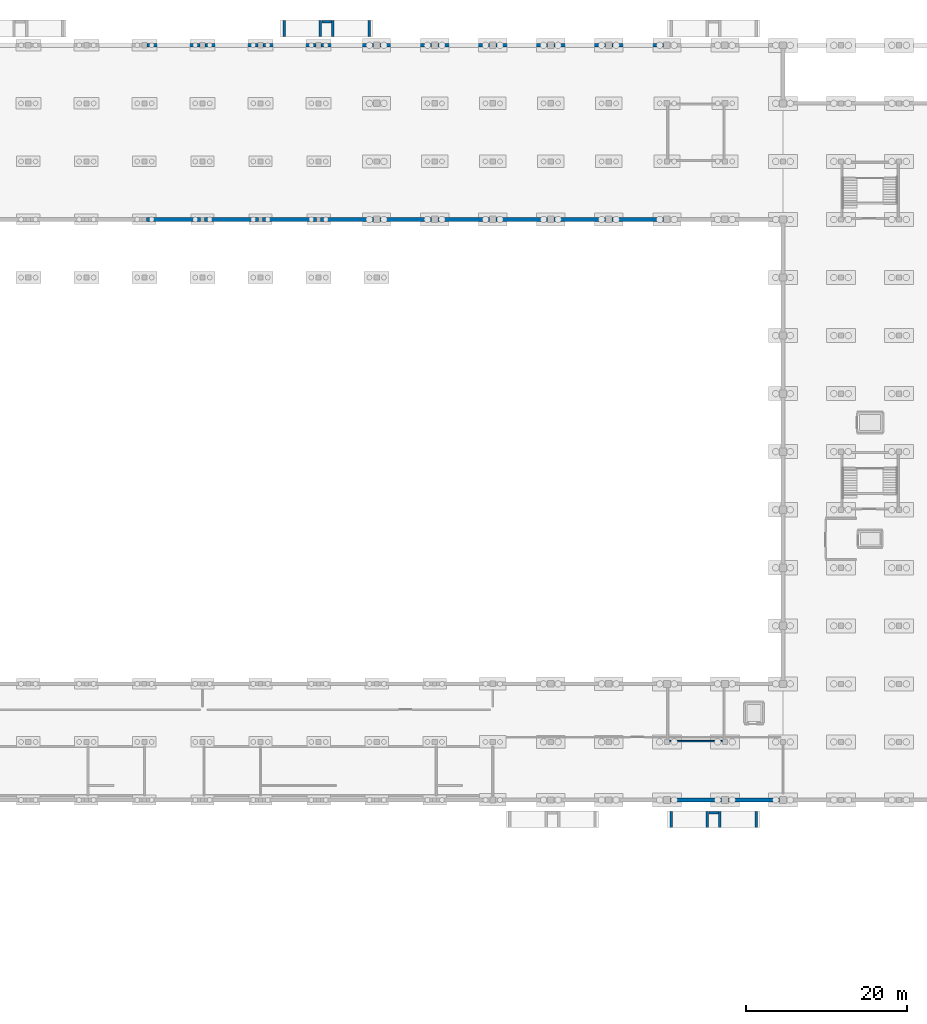
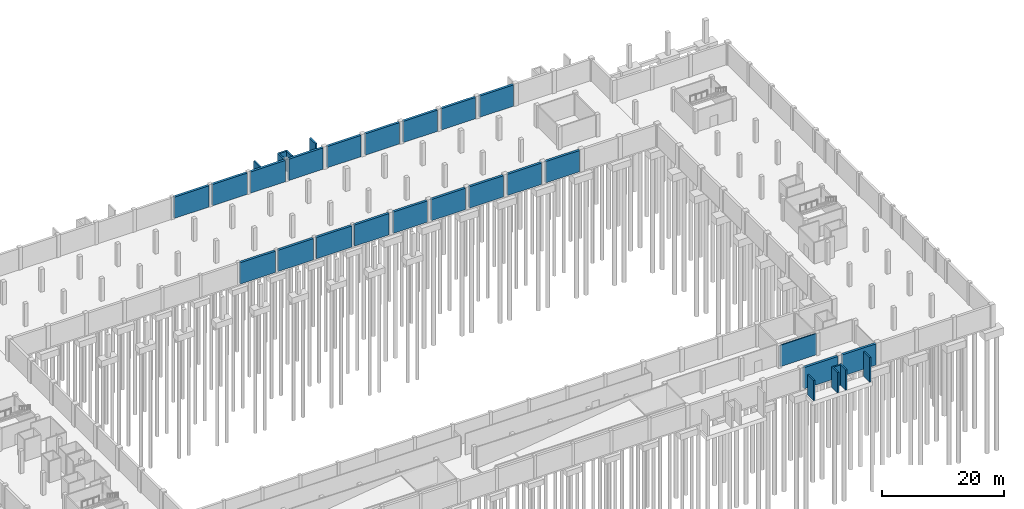
# One storey, part 13 of 18: 31 walls.
"""IFC4 building model written with IfcOpenShell, lengths in metres."""

import ifcopenshell
import ifcopenshell.guid

model = None  # the IFC model being written
_history = None  # IfcOwnerHistory: only IFC2X3 demands one
_inside = {}  # id of a spatial element -> (the spatial element, [elements in it])
_under = {}  # id of a project, library or spatial element -> (it, [spatial elements below it])
_declared = {}  # id of a project -> (the project, [libraries it declares])
_typed = {}  # id of a type object -> (the type object, [elements of that type])
_made_of = {}  # id of a material, layer set ... -> (it, [elements and type objects made of it])


def new_model(schema):
    """Start an empty IFC model of exactly this schema.

    Asked for "IFC4X3", IfcOpenShell would pick the latest addendum, in which some entities
    have other attributes; the version numbers below select the first issue.
    IFC2X3 requires an IfcOwnerHistory on every rooted entity: one is made here for all.
    """
    global model, _history
    if schema == "IFC4X3":
        model = ifcopenshell.file(schema_version=(4, 3, 0, 0))
    else:
        model = ifcopenshell.file(schema=schema)
    _inside.clear()
    _under.clear()
    _declared.clear()
    _typed.clear()
    _made_of.clear()
    _history = None
    if model.schema == "IFC2X3":
        org = make("IfcOrganization", Name="unknown")
        user = make(
            "IfcPersonAndOrganization",
            ThePerson=make("IfcPerson", FamilyName="unknown"),
            TheOrganization=org,
        )
        app = make(
            "IfcApplication",
            ApplicationDeveloper=org,
            Version="unknown",
            ApplicationFullName="unknown",
            ApplicationIdentifier="unknown",
        )
        _history = make(
            "IfcOwnerHistory",
            OwningUser=user,
            OwningApplication=app,
            ChangeAction="ADDED",
            CreationDate=0,
        )
    return model


def make(cls, **values):
    """One entity of the class cls with the attributes given. An attribute that is None is left unset."""
    return model.create_entity(
        cls, **{name: value for name, value in values.items() if value is not None}
    )


def rooted(cls, **values):
    """An entity with a GlobalId (a new one), such as an element, a storey or a relation."""
    return make(cls, GlobalId=ifcopenshell.guid.new(), OwnerHistory=_history, **values)


def si_unit(unit_type, name, prefix=None):
    """IfcSIUnit, for example si_unit("LENGTHUNIT", "METRE", prefix="MILLI")."""
    return make("IfcSIUnit", UnitType=unit_type, Prefix=prefix, Name=name)


def assignment(units):
    """IfcUnitAssignment: the units of a project."""
    return None if units is None else make("IfcUnitAssignment", Units=units)


def point(xyz):
    """IfcCartesianPoint."""
    return None if xyz is None else make("IfcCartesianPoint", Coordinates=xyz)


def direction(xyz):
    """IfcDirection."""
    return None if xyz is None else make("IfcDirection", DirectionRatios=xyz)


def frame(location, z_axis=None, x_axis=None):
    """IfcAxis2Placement3D, a coordinate frame: its origin and axes. An axis left out is left unset."""
    return make(
        "IfcAxis2Placement3D",
        Location=point(location),
        Axis=direction(z_axis),
        RefDirection=direction(x_axis),
    )


def frame_2d(location, x_axis=None):
    """IfcAxis2Placement2D, a coordinate frame in the plane: its origin and x axis."""
    return make(
        "IfcAxis2Placement2D", Location=point(location), RefDirection=direction(x_axis)
    )


def origin():
    """The frame at (0, 0, 0) with its axes left unset."""
    return frame((0.0, 0.0, 0.0))


def place(relative_to, where):
    """IfcLocalPlacement: puts the frame where relative to a parent placement (None: the world)."""
    return make(
        "IfcLocalPlacement", PlacementRelTo=relative_to, RelativePlacement=where
    )


def context(
    kind, dimensions, precision=None, world=None, true_north=None, identifier=None
):
    """IfcGeometricRepresentationContext, for example the 3D "Model" context."""
    return make(
        "IfcGeometricRepresentationContext",
        ContextIdentifier=identifier,
        ContextType=kind,
        CoordinateSpaceDimension=dimensions,
        Precision=precision,
        WorldCoordinateSystem=world,
        TrueNorth=true_north,
    )


def subcontext(parent, identifier, kind, view, scale=None):
    """IfcGeometricRepresentationSubContext, for example "Body" below "Model"."""
    return make(
        "IfcGeometricRepresentationSubContext",
        ContextIdentifier=identifier,
        ContextType=kind,
        ParentContext=parent,
        TargetScale=scale,
        TargetView=view,
    )


def project(units=None, contexts=None):
    """IfcProject with its units and contexts."""
    return rooted(
        "IfcProject",
        Name="project",
        RepresentationContexts=contexts,
        UnitsInContext=assignment(units),
    )


def spatial(cls, under=None, at=None, **own):
    """A site, building, storey or space (cls), placed at a placement, below another one or the project."""
    s = rooted(cls, ObjectPlacement=at, **own)
    if under is not None:
        _under.setdefault(under.id(), (under, []))[1].append(s)
    return s


def profile(cls, at=None, kind="AREA", **sizes):
    """A parametric profile (cls). Its sizes go by their IFC names, for example OverallWidth=200.0."""
    return make(cls, ProfileType=kind, Position=at, **sizes)


def rectangle(**sizes):
    """IfcRectangleProfileDef."""
    return profile("IfcRectangleProfileDef", **sizes)


def extrude(swept, where, along, depth):
    """IfcExtrudedAreaSolid: the profile swept, set in the frame where, extruded along a direction by depth."""
    return make(
        "IfcExtrudedAreaSolid",
        SweptArea=swept,
        Position=where,
        ExtrudedDirection=direction(along),
        Depth=depth,
    )


def shape(context_of_items, identifier, shape_type, items):
    """IfcShapeRepresentation: the items that make up one representation, for example the "Body"."""
    return make(
        "IfcShapeRepresentation",
        ContextOfItems=context_of_items,
        RepresentationIdentifier=identifier,
        RepresentationType=shape_type,
        Items=items,
    )


def material(Name=None, Category=None):
    """IfcMaterial."""
    return make("IfcMaterial", Name=Name, Category=Category)


def layer(
    of_material, thickness, ventilated=None, Name=None, Category=None, Priority=None
):
    """IfcMaterialLayer: one layer of a wall or slab, of a material (None: an air gap)."""
    return make(
        "IfcMaterialLayer",
        Material=of_material,
        LayerThickness=thickness,
        IsVentilated=ventilated,
        Name=Name,
        Category=Category,
        Priority=Priority,
    )


def layer_set(layers, Name=None):
    """IfcMaterialLayerSet."""
    return make("IfcMaterialLayerSet", MaterialLayers=layers, LayerSetName=Name)


def made_of(thing, what):
    """Note that an element or type object is made of a material, layer set ...; save() writes the relation."""
    if what is not None:
        _made_of.setdefault(what.id(), (what, []))[1].append(thing)
    return thing


def type_object(cls, material=None, **own):
    """A type object (cls), such as IfcWallType, which elements share."""
    return made_of(rooted(cls, **own), material)


def element(
    cls,
    number,
    at=None,
    inside=None,
    cuts=None,
    type_object=None,
    material=None,
    context=None,
    identifier="Body",
    shape_type=None,
    held_by="IfcProductDefinitionShape",
    body=None,
    shapes=None,
    **own,
):
    """One element of the class cls, such as IfcWall. Its Tag is "e" and its number.

    at: its placement. inside: the storey or other place that contains it. cuts: it is an
    opening in that element (IfcRelVoidsElement). A single representation is given by context,
    identifier, shape_type and body (its items); several are given by shapes. held_by: the class
    of the entity that holds the representations. save() writes the other relations.
    """
    e = rooted(cls, Tag="e%d" % number, ObjectPlacement=at, **own)
    if body is not None:
        shapes = [shape(context, identifier, shape_type, body)]
    if shapes is not None:
        e.Representation = make(held_by, Representations=shapes)
    if inside is not None:
        _inside.setdefault(inside.id(), (inside, []))[1].append(e)
    if cuts is not None:
        rooted(
            "IfcRelVoidsElement", RelatingBuildingElement=cuts, RelatedOpeningElement=e
        )
    if type_object is not None:
        _typed.setdefault(type_object.id(), (type_object, []))[1].append(e)
    return made_of(e, material)


def aggregate(whole, parts):
    """IfcRelAggregates: a whole, such as a stair, and the parts it consists of."""
    return rooted("IfcRelAggregates", RelatingObject=whole, RelatedObjects=parts)


def save(model, path):
    """Write the relations noted so far, then the file.

    IfcRelAggregates (storeys below a building ...), IfcRelContainedInSpatialStructure (elements
    in a storey), IfcRelDefinesByType, IfcRelAssociatesMaterial and IfcRelDeclares: one each for
    every whole, place, type object, material and project.
    """
    for whole, parts in _under.values():
        aggregate(whole, parts)
    for where, things in _inside.values():
        rooted(
            "IfcRelContainedInSpatialStructure",
            RelatedElements=things,
            RelatingStructure=where,
        )
    for kind, things in _typed.values():
        rooted("IfcRelDefinesByType", RelatedObjects=things, RelatingType=kind)
    for what, things in _made_of.values():
        rooted("IfcRelAssociatesMaterial", RelatedObjects=things, RelatingMaterial=what)
    for by, libraries in _declared.values():
        rooted("IfcRelDeclares", RelatingContext=by, RelatedDefinitions=libraries)
    model.write(path)


model = new_model("IFC4")

# Units and contexts
model_context = context("Model", 3, precision=1e-05, world=origin(), true_north=direction((0.0, 1.0)))
body_context = subcontext(model_context, "Body", "Model", "MODEL_VIEW")
ifc_project = project(units=[si_unit("LENGTHUNIT", "METRE"), si_unit("AREAUNIT", "SQUARE_METRE"), si_unit("VOLUMEUNIT", "CUBIC_METRE"), si_unit("PLANEANGLEUNIT", "RADIAN"), si_unit("MASSUNIT", "GRAM", prefix="KILO")], contexts=[model_context])

# Site, building, storey
site_placement = place(None, origin())
site = spatial("IfcSite", under=ifc_project, at=site_placement, CompositionType="ELEMENT")
building_placement = place(site_placement, origin())
building = spatial("IfcBuilding", under=site, at=building_placement, Name="Kangsadwip Square Police Headquarters", CompositionType="ELEMENT")
storey_placement = place(building_placement, frame((0.0, 0.0, -4.5)))
storey = spatial("IfcBuildingStorey", under=building, at=storey_placement, Name="B1", CompositionType="ELEMENT", Elevation=-4.5)

# Walls
ifc_material_1 = material(Name="Concrete M40 (40 MPa)", Category="concrete")
ifc_layer_1 = layer(ifc_material_1, 0.449951171875)
ifc_layer_set_1 = layer_set([ifc_layer_1], Name="Concrete M40 (40 MPa)")
wall_type_1 = type_object("IfcWallType", Name="BasementRetainingWall450", PredefinedType="USERDEFINED", material=ifc_layer_set_1)
wall_1_placement = place(storey_placement, frame((130.02001953125, 21.60009765625, 0.0), z_axis=(0.0, 0.0, 1.0), x_axis=(1.0, 0.0, 0.0)))
element("IfcWall", 1, at=wall_1_placement, inside=storey, type_object=wall_type_1, Name="Exterior Wall WE-B1-019", ObjectType="RETAININGWALL", PredefinedType="USERDEFINED", context=body_context, shape_type="SweptSolid", body=[
    extrude(rectangle(XDim=6.35986328125, YDim=0.449951171875, at=frame_2d((3.179931640625, 0.0))), origin(), (0.0, 0.0, 1.0), 4.25),
])
wall_2_placement = place(storey_placement, frame((137.219970703125, 21.60009765625, 0.0), z_axis=(0.0, 0.0, 1.0), x_axis=(1.0, 0.0, 0.0)))
element("IfcWall", 2, at=wall_2_placement, inside=storey, type_object=wall_type_1, Name="Exterior Wall WE-B1-020", ObjectType="RETAININGWALL", PredefinedType="USERDEFINED", context=body_context, shape_type="SweptSolid", body=[
    extrude(rectangle(XDim=6.360107421875, YDim=0.449951171875, at=frame_2d((3.18017578125, 0.0))), origin(), (0.0, 0.0, 1.0), 4.25),
])
for number, where, z_axis, x_axis, name in (
    (3, (65.070068359375, 93.60009765625, 0.0), (0.0, 0.0, 1.0), (1.0, 0.0, 0.0), "Exterior Wall WE-B1-047"),
    (4, (72.2451171875, 93.60009765625, 0.0), (0.0, 0.0, 1.0), (1.0, 0.0, 0.0), "Exterior Wall WE-B1-048"),
):
    element("IfcWall", number, at=place(storey_placement, frame(where, z_axis=z_axis, x_axis=x_axis)), inside=storey, type_object=wall_type_1, Name=name, ObjectType="RETAININGWALL", PredefinedType="USERDEFINED", context=body_context, shape_type="SweptSolid", body=[
        extrude(rectangle(XDim=6.684814453125, YDim=0.449951171875, at=frame_2d((3.34228515625, 0.0))), origin(), (0.0, 0.0, 1.0), 4.25),
    ])
wall_3_placement = place(storey_placement, frame((79.469970703125, 93.60009765625, 0.0), z_axis=(0.0, 0.0, 1.0), x_axis=(1.0, 0.0, 0.0)))
element("IfcWall", 5, at=wall_3_placement, inside=storey, type_object=wall_type_1, Name="Exterior Wall WE-B1-049", ObjectType="RETAININGWALL", PredefinedType="USERDEFINED", context=body_context, shape_type="SweptSolid", body=[
    extrude(rectangle(XDim=6.68505859375, YDim=0.449951171875, at=frame_2d((3.342529296875, 0.0))), origin(), (0.0, 0.0, 1.0), 4.25),
])
wall_4_placement = place(storey_placement, frame((86.64501953125, 93.60009765625, 0.0), z_axis=(0.0, 0.0, 1.0), x_axis=(1.0, 0.0, 0.0)))
element("IfcWall", 6, at=wall_4_placement, inside=storey, type_object=wall_type_1, Name="Exterior Wall WE-B1-050", ObjectType="RETAININGWALL", PredefinedType="USERDEFINED", context=body_context, shape_type="SweptSolid", body=[
    extrude(rectangle(XDim=6.56005859375, YDim=0.449951171875, at=frame_2d((3.280029296875, 0.0))), origin(), (0.0, 0.0, 1.0), 4.25),
])
for number, where, z_axis, x_axis, name in (
    (7, (93.9951171875, 93.60009765625, 0.0), (0.0, 0.0, 1.0), (1.0, 0.0, 0.0), "Exterior Wall WE-B1-051"),
    (8, (101.195068359375, 93.60009765625, 0.0), (0.0, 0.0, 1.0), (1.0, 0.0, 0.0), "Exterior Wall WE-B1-052"),
    (9, (108.39501953125, 93.60009765625, 0.0), (0.0, 0.0, 1.0), (1.0, 0.0, 0.0), "Exterior Wall WE-B1-053"),
    (10, (115.594970703125, 93.60009765625, 0.0), (0.0, 0.0, 1.0), (1.0, 0.0, 0.0), "Exterior Wall WE-B1-054"),
):
    element("IfcWall", number, at=place(storey_placement, frame(where, z_axis=z_axis, x_axis=x_axis)), inside=storey, type_object=wall_type_1, Name=name, ObjectType="RETAININGWALL", PredefinedType="USERDEFINED", context=body_context, shape_type="SweptSolid", body=[
        extrude(rectangle(XDim=6.409912109375, YDim=0.449951171875, at=frame_2d((3.205078125, 0.0))), origin(), (0.0, 0.0, 1.0), 4.25),
    ])
wall_5_placement = place(storey_placement, frame((122.794921875, 93.60009765625, 0.0), z_axis=(0.0, 0.0, 1.0), x_axis=(1.0, 0.0, 0.0)))
element("IfcWall", 11, at=wall_5_placement, inside=storey, type_object=wall_type_1, Name="Exterior Wall WE-B1-055", ObjectType="RETAININGWALL", PredefinedType="USERDEFINED", context=body_context, shape_type="SweptSolid", body=[
    extrude(rectangle(XDim=6.41015625, YDim=0.449951171875, at=frame_2d((3.205078125, 0.0))), origin(), (0.0, 0.0, 1.0), 4.25),
])
for number, where, z_axis, x_axis, name in (
    (12, (65.1201171875, 115.199951171875, 0.0), (0.0, 0.0, 1.0), (1.0, 0.0, 0.0), "Exterior Wall WE-B1-070"),
    (13, (72.320068359375, 115.199951171875, 0.0), (0.0, 0.0, 1.0), (1.0, 0.0, 0.0), "Exterior Wall WE-B1-071"),
):
    element("IfcWall", number, at=place(storey_placement, frame(where, z_axis=z_axis, x_axis=x_axis)), inside=storey, type_object=wall_type_1, Name=name, ObjectType="RETAININGWALL", PredefinedType="USERDEFINED", context=body_context, shape_type="SweptSolid", body=[
        extrude(rectangle(XDim=6.559814453125, YDim=0.449951171875, at=frame_2d((3.27978515625, 0.0))), origin(), (0.0, 0.0, 1.0), 4.25),
    ])
wall_6_placement = place(storey_placement, frame((79.52001953125, 115.199951171875, 0.0), z_axis=(0.0, 0.0, 1.0), x_axis=(1.0, 0.0, 0.0)))
element("IfcWall", 14, at=wall_6_placement, inside=storey, type_object=wall_type_1, Name="Exterior Wall WE-B1-072", ObjectType="RETAININGWALL", PredefinedType="USERDEFINED", context=body_context, shape_type="SweptSolid", body=[
    extrude(rectangle(XDim=6.56005859375, YDim=0.449951171875, at=frame_2d((3.280029296875, 0.0))), origin(), (0.0, 0.0, 1.0), 4.25),
])
wall_7_placement = place(storey_placement, frame((86.719970703125, 115.199951171875, 0.0), z_axis=(0.0, 0.0, 1.0), x_axis=(1.0, 0.0, 0.0)))
element("IfcWall", 15, at=wall_7_placement, inside=storey, type_object=wall_type_1, Name="Exterior Wall WE-B1-073", ObjectType="RETAININGWALL", PredefinedType="USERDEFINED", context=body_context, shape_type="SweptSolid", body=[
    extrude(rectangle(XDim=6.485107421875, YDim=0.449951171875, at=frame_2d((3.24267578125, 0.0))), origin(), (0.0, 0.0, 1.0), 4.25),
])
for number, where, z_axis, x_axis, name in (
    (16, (93.9951171875, 115.199951171875, 0.0), (0.0, 0.0, 1.0), (1.0, 0.0, 0.0), "Exterior Wall WE-B1-074"),
    (17, (101.195068359375, 115.199951171875, 0.0), (0.0, 0.0, 1.0), (1.0, 0.0, 0.0), "Exterior Wall WE-B1-075"),
    (18, (108.39501953125, 115.199951171875, 0.0), (0.0, 0.0, 1.0), (1.0, 0.0, 0.0), "Exterior Wall WE-B1-076"),
    (19, (115.594970703125, 115.199951171875, 0.0), (0.0, 0.0, 1.0), (1.0, 0.0, 0.0), "Exterior Wall WE-B1-077"),
):
    element("IfcWall", number, at=place(storey_placement, frame(where, z_axis=z_axis, x_axis=x_axis)), inside=storey, type_object=wall_type_1, Name=name, ObjectType="RETAININGWALL", PredefinedType="USERDEFINED", context=body_context, shape_type="SweptSolid", body=[
        extrude(rectangle(XDim=6.409912109375, YDim=0.449951171875, at=frame_2d((3.205078125, 0.0))), origin(), (0.0, 0.0, 1.0), 4.25),
    ])
wall_8_placement = place(storey_placement, frame((122.794921875, 115.199951171875, 0.0), z_axis=(0.0, 0.0, 1.0), x_axis=(1.0, 0.0, 0.0)))
element("IfcWall", 20, at=wall_8_placement, inside=storey, type_object=wall_type_1, Name="Exterior Wall WE-B1-078", ObjectType="RETAININGWALL", PredefinedType="USERDEFINED", context=body_context, shape_type="SweptSolid", body=[
    extrude(rectangle(XDim=6.41015625, YDim=0.449951171875, at=frame_2d((3.205078125, 0.0))), origin(), (0.0, 0.0, 1.0), 4.25),
])
ifc_material_2 = material(Name="Concrete M40 (40 MPa)", Category="concrete")
ifc_layer_2 = layer(ifc_material_2, 0.199951171875)
ifc_layer_set_2 = layer_set([ifc_layer_2], Name="Concrete M40 (40 MPa)")
wall_type_2 = type_object("IfcWallType", Name="CoreShearWall200", PredefinedType="SHEAR", material=ifc_layer_set_2)
wall_9_placement = place(storey_placement, frame((129.800048828125, 28.89990234375, 0.0), z_axis=(0.0, 0.0, 1.0), x_axis=(1.0, 0.0, 0.0)))
element("IfcWall", 21, at=wall_9_placement, inside=storey, type_object=wall_type_2, Name="Interior Wall WI-B1-0177", PredefinedType="SHEAR", context=body_context, shape_type="SweptSolid", body=[
    extrude(rectangle(XDim=6.800048828125, YDim=0.199951171875, at=frame_2d((3.39990234375, 0.0))), origin(), (0.0, 0.0, 1.0), 4.25),
])
ifc_material_3 = material(Name="Concrete M35 (35 MPa)", Category="concrete")
ifc_layer_3 = layer(ifc_material_3, 0.300048828125)
ifc_layer_set_3 = layer_set([ifc_layer_3], Name="Concrete M35 (35 MPa)")
wall_type_3 = type_object("IfcWallType", Name="RampSupportWall300", PredefinedType="SHEAR", material=ifc_layer_set_3)
wall_10_placement = place(storey_placement, frame((82.1201171875, 116.300048828125, -0.449951171875), z_axis=(0.0, 0.0, 1.0), x_axis=(0.0, 1.0, 0.0)))
element("IfcWall", 22, at=wall_10_placement, inside=storey, type_object=wall_type_3, Name="Accessible Ramp Support Wall WR-AR-02-1", PredefinedType="SHEAR", context=body_context, shape_type="SweptSolid", body=[
    extrude(rectangle(XDim=2.0, YDim=0.300048828125, at=frame_2d((1.0, 0.0))), origin(), (0.0, 0.0, 1.0), 4.030029296875),
])
for number, where, z_axis, x_axis, name in (
    (23, (86.6201171875, 116.300048828125, -0.449951171875), (0.0, 0.0, 1.0), (0.0, 1.0, 0.0), "Accessible Ramp Support Wall WR-AR-02-2"),
    (24, (88.179931640625, 116.300048828125, -0.449951171875), (0.0, 0.0, 1.0), (0.0, 1.0, 0.0), "Accessible Ramp Support Wall WR-AR-02-3"),
):
    element("IfcWall", number, at=place(storey_placement, frame(where, z_axis=z_axis, x_axis=x_axis)), inside=storey, type_object=wall_type_3, Name=name, PredefinedType="SHEAR", context=body_context, shape_type="SweptSolid", body=[
        extrude(rectangle(XDim=2.0, YDim=0.300048828125, at=frame_2d((1.0, 0.0))), origin(), (0.0, 0.0, 1.0), 4.050048828125),
    ])
wall_11_placement = place(storey_placement, frame((86.800048828125, 118.1201171875, -0.449951171875), z_axis=(0.0, 0.0, 1.0), x_axis=(1.0, 0.0, 0.0)))
element("IfcWall", 25, at=wall_11_placement, inside=storey, type_object=wall_type_3, Name="Accessible Ramp Support Wall WR-AR-02-4", PredefinedType="SHEAR", context=body_context, shape_type="SweptSolid", body=[
    extrude(rectangle(XDim=1.199951171875, YDim=0.300048828125, at=frame_2d((0.60009765625, 0.0))), origin(), (0.0, 0.0, 1.0), 4.050048828125),
])
wall_12_placement = place(storey_placement, frame((92.679931640625, 116.300048828125, -0.449951171875), z_axis=(0.0, 0.0, 1.0), x_axis=(0.0, 1.0, 0.0)))
element("IfcWall", 26, at=wall_12_placement, inside=storey, type_object=wall_type_3, Name="Accessible Ramp Support Wall WR-AR-02-5", PredefinedType="SHEAR", context=body_context, shape_type="SweptSolid", body=[
    extrude(rectangle(XDim=2.0, YDim=0.300048828125, at=frame_2d((1.0, 0.0))), origin(), (0.0, 0.0, 1.0), 4.929931640625),
])
wall_13_placement = place(storey_placement, frame((130.1201171875, 18.199951171875, -0.449951171875), z_axis=(0.0, 0.0, 1.0), x_axis=(0.0, 1.0, 0.0)))
element("IfcWall", 27, at=wall_13_placement, inside=storey, type_object=wall_type_3, Name="Accessible Ramp Support Wall WR-AR-04-1", PredefinedType="SHEAR", context=body_context, shape_type="SweptSolid", body=[
    extrude(rectangle(XDim=2.0, YDim=0.300048828125, at=frame_2d((1.0, 0.0))), origin(), (0.0, 0.0, 1.0), 4.030029296875),
])
for number, where, z_axis, x_axis, name in (
    (28, (134.6201171875, 18.199951171875, -0.449951171875), (0.0, 0.0, 1.0), (0.0, 1.0, 0.0), "Accessible Ramp Support Wall WR-AR-04-2"),
    (29, (136.179931640625, 18.199951171875, -0.449951171875), (0.0, 0.0, 1.0), (0.0, 1.0, 0.0), "Accessible Ramp Support Wall WR-AR-04-3"),
):
    element("IfcWall", number, at=place(storey_placement, frame(where, z_axis=z_axis, x_axis=x_axis)), inside=storey, type_object=wall_type_3, Name=name, PredefinedType="SHEAR", context=body_context, shape_type="SweptSolid", body=[
        extrude(rectangle(XDim=2.0, YDim=0.300048828125, at=frame_2d((1.0, 0.0))), origin(), (0.0, 0.0, 1.0), 4.050048828125),
    ])
wall_14_placement = place(storey_placement, frame((134.800048828125, 20.02001953125, -0.449951171875), z_axis=(0.0, 0.0, 1.0), x_axis=(1.0, 0.0, 0.0)))
element("IfcWall", 30, at=wall_14_placement, inside=storey, type_object=wall_type_3, Name="Accessible Ramp Support Wall WR-AR-04-4", PredefinedType="SHEAR", context=body_context, shape_type="SweptSolid", body=[
    extrude(rectangle(XDim=1.199951171875, YDim=0.300048828125, at=frame_2d((0.60009765625, 0.0))), origin(), (0.0, 0.0, 1.0), 4.050048828125),
])
wall_15_placement = place(storey_placement, frame((140.679931640625, 18.199951171875, -0.449951171875), z_axis=(0.0, 0.0, 1.0), x_axis=(0.0, 1.0, 0.0)))
element("IfcWall", 31, at=wall_15_placement, inside=storey, type_object=wall_type_3, Name="Accessible Ramp Support Wall WR-AR-04-5", PredefinedType="SHEAR", context=body_context, shape_type="SweptSolid", body=[
    extrude(rectangle(XDim=2.0, YDim=0.300048828125, at=frame_2d((1.0, 0.0))), origin(), (0.0, 0.0, 1.0), 4.929931640625),
])

save(model, "model.ifc")
